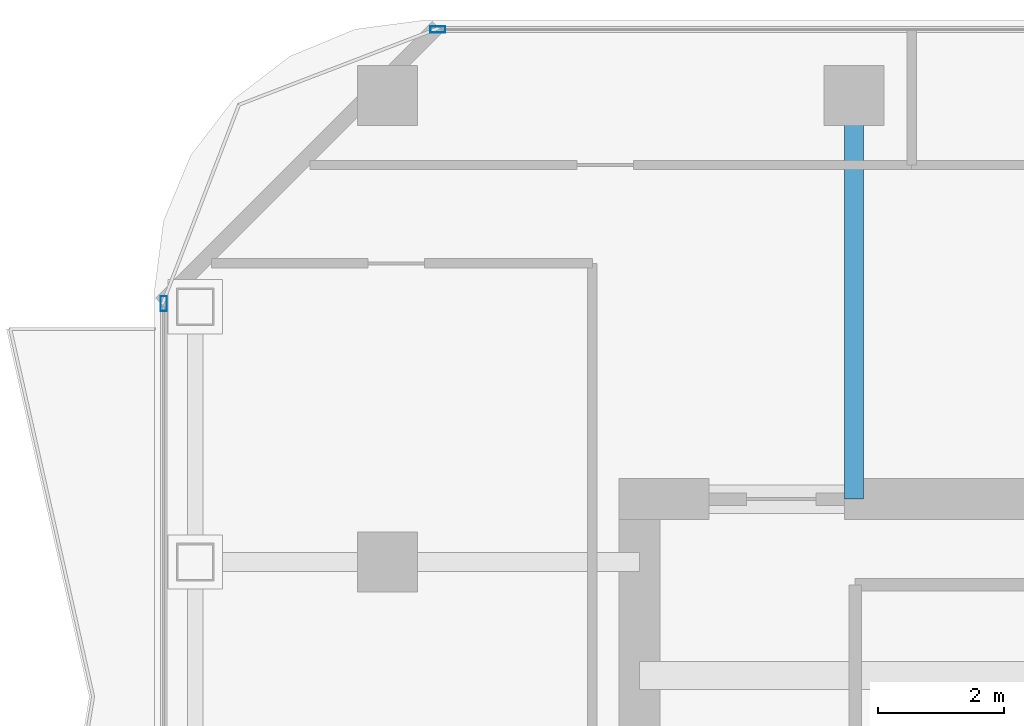
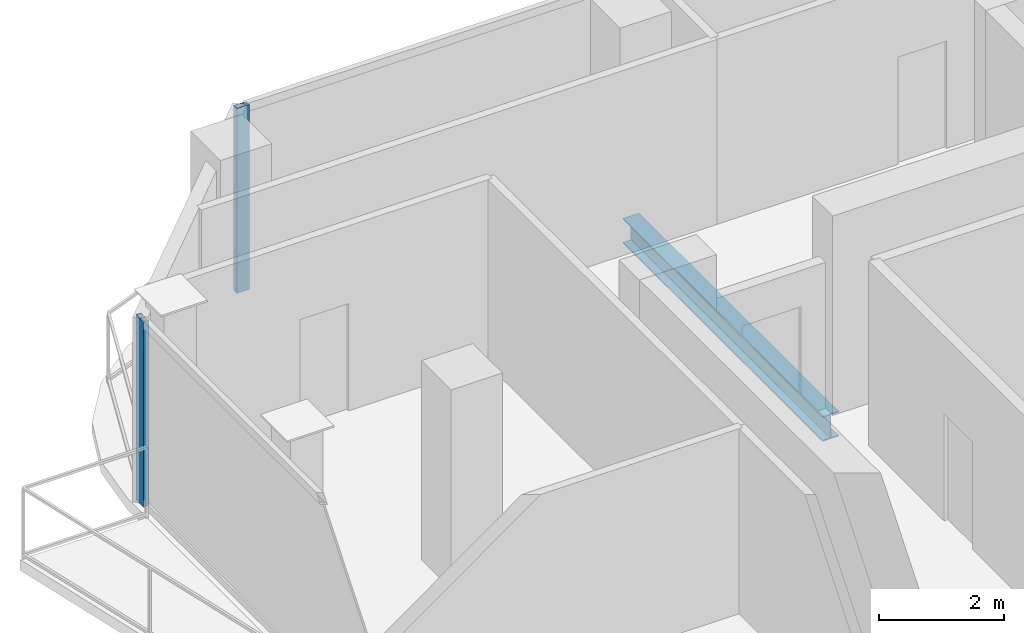
# One storey, part 14 of 26: 2 members, 1 beam, 2 elements without a shape of their own.
"""IFC4 building model written with IfcOpenShell, lengths in metres."""

import ifcopenshell
import ifcopenshell.guid

model = None  # the IFC model being written
_history = None  # IfcOwnerHistory: only IFC2X3 demands one
_inside = {}  # id of a spatial element -> (the spatial element, [elements in it])
_under = {}  # id of a project, library or spatial element -> (it, [spatial elements below it])
_declared = {}  # id of a project -> (the project, [libraries it declares])
_typed = {}  # id of a type object -> (the type object, [elements of that type])
_made_of = {}  # id of a material, layer set ... -> (it, [elements and type objects made of it])


def new_model(schema):
    """Start an empty IFC model of exactly this schema.

    Asked for "IFC4X3", IfcOpenShell would pick the latest addendum, in which some entities
    have other attributes; the version numbers below select the first issue.
    IFC2X3 requires an IfcOwnerHistory on every rooted entity: one is made here for all.
    """
    global model, _history
    if schema == "IFC4X3":
        model = ifcopenshell.file(schema_version=(4, 3, 0, 0))
    else:
        model = ifcopenshell.file(schema=schema)
    _inside.clear()
    _under.clear()
    _declared.clear()
    _typed.clear()
    _made_of.clear()
    _history = None
    if model.schema == "IFC2X3":
        org = make("IfcOrganization", Name="unknown")
        user = make(
            "IfcPersonAndOrganization",
            ThePerson=make("IfcPerson", FamilyName="unknown"),
            TheOrganization=org,
        )
        app = make(
            "IfcApplication",
            ApplicationDeveloper=org,
            Version="unknown",
            ApplicationFullName="unknown",
            ApplicationIdentifier="unknown",
        )
        _history = make(
            "IfcOwnerHistory",
            OwningUser=user,
            OwningApplication=app,
            ChangeAction="ADDED",
            CreationDate=0,
        )
    return model


def make(cls, **values):
    """One entity of the class cls with the attributes given. An attribute that is None is left unset."""
    return model.create_entity(
        cls, **{name: value for name, value in values.items() if value is not None}
    )


def rooted(cls, **values):
    """An entity with a GlobalId (a new one), such as an element, a storey or a relation."""
    return make(cls, GlobalId=ifcopenshell.guid.new(), OwnerHistory=_history, **values)


def si_unit(unit_type, name, prefix=None):
    """IfcSIUnit, for example si_unit("LENGTHUNIT", "METRE", prefix="MILLI")."""
    return make("IfcSIUnit", UnitType=unit_type, Prefix=prefix, Name=name)


def assignment(units):
    """IfcUnitAssignment: the units of a project."""
    return None if units is None else make("IfcUnitAssignment", Units=units)


def point(xyz):
    """IfcCartesianPoint."""
    return None if xyz is None else make("IfcCartesianPoint", Coordinates=xyz)


def direction(xyz):
    """IfcDirection."""
    return None if xyz is None else make("IfcDirection", DirectionRatios=xyz)


def frame(location, z_axis=None, x_axis=None):
    """IfcAxis2Placement3D, a coordinate frame: its origin and axes. An axis left out is left unset."""
    return make(
        "IfcAxis2Placement3D",
        Location=point(location),
        Axis=direction(z_axis),
        RefDirection=direction(x_axis),
    )


def frame_2d(location, x_axis=None):
    """IfcAxis2Placement2D, a coordinate frame in the plane: its origin and x axis."""
    return make(
        "IfcAxis2Placement2D", Location=point(location), RefDirection=direction(x_axis)
    )


def origin():
    """The frame at (0, 0, 0) with its axes left unset."""
    return frame((0.0, 0.0, 0.0))


def origin_2d():
    """The frame at (0, 0) in the plane with its x axis left unset."""
    return frame_2d((0.0, 0.0))


def place(relative_to, where):
    """IfcLocalPlacement: puts the frame where relative to a parent placement (None: the world)."""
    return make(
        "IfcLocalPlacement", PlacementRelTo=relative_to, RelativePlacement=where
    )


def context(
    kind, dimensions, precision=None, world=None, true_north=None, identifier=None
):
    """IfcGeometricRepresentationContext, for example the 3D "Model" context."""
    return make(
        "IfcGeometricRepresentationContext",
        ContextIdentifier=identifier,
        ContextType=kind,
        CoordinateSpaceDimension=dimensions,
        Precision=precision,
        WorldCoordinateSystem=world,
        TrueNorth=true_north,
    )


def subcontext(parent, identifier, kind, view, scale=None):
    """IfcGeometricRepresentationSubContext, for example "Body" below "Model"."""
    return make(
        "IfcGeometricRepresentationSubContext",
        ContextIdentifier=identifier,
        ContextType=kind,
        ParentContext=parent,
        TargetScale=scale,
        TargetView=view,
    )


def project(units=None, contexts=None):
    """IfcProject with its units and contexts."""
    return rooted(
        "IfcProject",
        Name="project",
        RepresentationContexts=contexts,
        UnitsInContext=assignment(units),
    )


def spatial(cls, under=None, at=None, **own):
    """A site, building, storey or space (cls), placed at a placement, below another one or the project."""
    s = rooted(cls, ObjectPlacement=at, **own)
    if under is not None:
        _under.setdefault(under.id(), (under, []))[1].append(s)
    return s


def profile(cls, at=None, kind="AREA", **sizes):
    """A parametric profile (cls). Its sizes go by their IFC names, for example OverallWidth=200.0."""
    return make(cls, ProfileType=kind, Position=at, **sizes)


def hollow_rectangle(**sizes):
    """IfcRectangleHollowProfileDef."""
    return profile("IfcRectangleHollowProfileDef", **sizes)


def i_section(**sizes):
    """IfcIShapeProfileDef."""
    return profile("IfcIShapeProfileDef", **sizes)


def extrude(swept, where, along, depth):
    """IfcExtrudedAreaSolid: the profile swept, set in the frame where, extruded along a direction by depth."""
    return make(
        "IfcExtrudedAreaSolid",
        SweptArea=swept,
        Position=where,
        ExtrudedDirection=direction(along),
        Depth=depth,
    )


def shape(context_of_items, identifier, shape_type, items):
    """IfcShapeRepresentation: the items that make up one representation, for example the "Body"."""
    return make(
        "IfcShapeRepresentation",
        ContextOfItems=context_of_items,
        RepresentationIdentifier=identifier,
        RepresentationType=shape_type,
        Items=items,
    )


def material(Name=None, Category=None):
    """IfcMaterial."""
    return make("IfcMaterial", Name=Name, Category=Category)


def layer(
    of_material, thickness, ventilated=None, Name=None, Category=None, Priority=None
):
    """IfcMaterialLayer: one layer of a wall or slab, of a material (None: an air gap)."""
    return make(
        "IfcMaterialLayer",
        Material=of_material,
        LayerThickness=thickness,
        IsVentilated=ventilated,
        Name=Name,
        Category=Category,
        Priority=Priority,
    )


def layer_set(layers, Name=None):
    """IfcMaterialLayerSet."""
    return make("IfcMaterialLayerSet", MaterialLayers=layers, LayerSetName=Name)


def material_profile(
    of_material, cross_section, Name=None, Category=None, Priority=None
):
    """IfcMaterialProfile: a cross section and its material."""
    return make(
        "IfcMaterialProfile",
        Name=Name,
        Material=of_material,
        Profile=cross_section,
        Priority=Priority,
        Category=Category,
    )


def profile_set(profiles, Name=None, composite=None):
    """IfcMaterialProfileSet."""
    return make(
        "IfcMaterialProfileSet",
        Name=Name,
        MaterialProfiles=profiles,
        CompositeProfile=composite,
    )


def made_of(thing, what):
    """Note that an element or type object is made of a material, layer set ...; save() writes the relation."""
    if what is not None:
        _made_of.setdefault(what.id(), (what, []))[1].append(thing)
    return thing


def type_object(cls, material=None, **own):
    """A type object (cls), such as IfcWallType, which elements share."""
    return made_of(rooted(cls, **own), material)


def element(
    cls,
    number,
    at=None,
    inside=None,
    cuts=None,
    type_object=None,
    material=None,
    context=None,
    identifier="Body",
    shape_type=None,
    held_by="IfcProductDefinitionShape",
    body=None,
    shapes=None,
    **own,
):
    """One element of the class cls, such as IfcWall. Its Tag is "e" and its number.

    at: its placement. inside: the storey or other place that contains it. cuts: it is an
    opening in that element (IfcRelVoidsElement). A single representation is given by context,
    identifier, shape_type and body (its items); several are given by shapes. held_by: the class
    of the entity that holds the representations. save() writes the other relations.
    """
    e = rooted(cls, Tag="e%d" % number, ObjectPlacement=at, **own)
    if body is not None:
        shapes = [shape(context, identifier, shape_type, body)]
    if shapes is not None:
        e.Representation = make(held_by, Representations=shapes)
    if inside is not None:
        _inside.setdefault(inside.id(), (inside, []))[1].append(e)
    if cuts is not None:
        rooted(
            "IfcRelVoidsElement", RelatingBuildingElement=cuts, RelatedOpeningElement=e
        )
    if type_object is not None:
        _typed.setdefault(type_object.id(), (type_object, []))[1].append(e)
    return made_of(e, material)


def aggregate(whole, parts):
    """IfcRelAggregates: a whole, such as a stair, and the parts it consists of."""
    return rooted("IfcRelAggregates", RelatingObject=whole, RelatedObjects=parts)


def save(model, path):
    """Write the relations noted so far, then the file.

    IfcRelAggregates (storeys below a building ...), IfcRelContainedInSpatialStructure (elements
    in a storey), IfcRelDefinesByType, IfcRelAssociatesMaterial and IfcRelDeclares: one each for
    every whole, place, type object, material and project.
    """
    for whole, parts in _under.values():
        aggregate(whole, parts)
    for where, things in _inside.values():
        rooted(
            "IfcRelContainedInSpatialStructure",
            RelatedElements=things,
            RelatingStructure=where,
        )
    for kind, things in _typed.values():
        rooted("IfcRelDefinesByType", RelatedObjects=things, RelatingType=kind)
    for what, things in _made_of.values():
        rooted("IfcRelAssociatesMaterial", RelatedObjects=things, RelatingMaterial=what)
    for by, libraries in _declared.values():
        rooted("IfcRelDeclares", RelatingContext=by, RelatedDefinitions=libraries)
    model.write(path)


model = new_model("IFC4")

# Units and contexts
model_context = context("Model", 3, precision=1e-05, world=origin(), true_north=direction((0.0, 1.0)))
body_context = subcontext(model_context, "Body", "Model", "MODEL_VIEW")
ifc_project = project(units=[si_unit("LENGTHUNIT", "METRE"), si_unit("AREAUNIT", "SQUARE_METRE"), si_unit("VOLUMEUNIT", "CUBIC_METRE"), si_unit("PLANEANGLEUNIT", "RADIAN"), si_unit("MASSUNIT", "GRAM", prefix="KILO")], contexts=[model_context])

# Site, building, storey
site_placement = place(None, origin())
site = spatial("IfcSite", under=ifc_project, at=site_placement, CompositionType="ELEMENT")
building_placement = place(site_placement, origin())
building = spatial("IfcBuilding", under=site, at=building_placement, Name="Khorvyn Point Tower", CompositionType="ELEMENT")
storey_placement = place(building_placement, frame((0.0, 0.0, 250.800048828125)))
storey = spatial("IfcBuildingStorey", under=building, at=storey_placement, Name="L61", CompositionType="ELEMENT", Elevation=250.800048828125)

# Curtain wall, member
ifc_material_1 = material(Name="Anodised aluminium 6063-T6 and laminated Low-E glass", Category="aluminium")
ifc_layer = layer(ifc_material_1, 0.18994140625)
ifc_layer_set = layer_set([ifc_layer], Name="Stick-Built Acoustic Curtain Wall CW-SYS-03")
curtain_wall_type = type_object("IfcCurtainWallType", Name="Stick-Built Acoustic Curtain Wall CW-SYS-03", PredefinedType="NOTDEFINED", material=ifc_layer_set)
curtain_wall_1_placement = place(storey_placement, origin())
curtain_wall_1 = element("IfcCurtainWall", 1, at=curtain_wall_1_placement, inside=storey, type_object=curtain_wall_type, Name="Curtain Wall", PredefinedType="NOTDEFINED")
ifc_material_2 = material(Name="Anodised aluminium 6063-T6", Category="aluminium")
ifc_material_profile_1 = material_profile(ifc_material_2, hollow_rectangle(XDim=0.10009765625, YDim=0.239990234375, WallThickness=0.0048828125, at=origin_2d()))
ifc_profile_set_1 = profile_set([ifc_material_profile_1], Name="Anodised aluminium 6063-T6 ALU-MUL-100x240")
member_type = type_object("IfcMemberType", Name="Anodised Aluminium 6063-T6 Mullion ALU-MUL-100x240", PredefinedType="MULLION", material=ifc_profile_set_1)
member_1_placement = place(storey_placement, frame((-14.0, 15.85009765625, 0.0), z_axis=(0.0, 0.0, 1.0), x_axis=(0.0, 1.0, 0.0)))
member_1 = element("IfcMember", 2, at=member_1_placement, type_object=member_type, Name="Transom", PredefinedType="MULLION", context=body_context, shape_type="SweptSolid", body=[
    extrude(hollow_rectangle(XDim=0.10009765625, YDim=0.239990234375, WallThickness=0.0048828125, at=origin_2d()), origin(), (0.0, 0.0, 1.0), 3.619873046875),
])
aggregate(curtain_wall_1, [member_1])

curtain_wall_2_placement = place(storey_placement, origin())
curtain_wall_2 = element("IfcCurtainWall", 3, at=curtain_wall_2_placement, inside=storey, type_object=curtain_wall_type, Name="Curtain Wall", PredefinedType="NOTDEFINED")
member_2_placement = place(storey_placement, frame((-18.35009765625, 11.5, 0.0), z_axis=(0.0, 0.0, 1.0), x_axis=(-1.0, 0.0, 0.0)))
member_2 = element("IfcMember", 4, at=member_2_placement, type_object=member_type, Name="Transom", PredefinedType="MULLION", context=body_context, shape_type="SweptSolid", body=[
    extrude(hollow_rectangle(XDim=0.10009765625, YDim=0.239990234375, WallThickness=0.0048828125, at=origin_2d()), origin(), (0.0, 0.0, 1.0), 3.619873046875),
])
aggregate(curtain_wall_2, [member_2])

# Beam
ifc_material_3 = material(Name="Steel S355", Category="steel")
ifc_material_profile_2 = material_profile(ifc_material_3, i_section(OverallWidth=0.300048828125, OverallDepth=0.488037109375, WebThickness=0.010986328125, FlangeThickness=0.01806640625, at=origin_2d()))
ifc_profile_set_2 = profile_set([ifc_material_profile_2], Name="Steel S355 H488x300x11x18")
beam_type = type_object("IfcBeamType", Name="Steel S355 Spandrel H488x300x11x18", PredefinedType="SPANDREL", material=ifc_profile_set_2)
beam_placement = place(storey_placement, frame((-7.39990234375, 8.39990234375, -0.464111328125), z_axis=(0.0, 1.0, 0.0), x_axis=(-1.0, 0.0, 0.0)))
element("IfcBeam", 5, at=beam_placement, inside=storey, type_object=beam_type, Name="Beam", PredefinedType="SPANDREL", context=body_context, shape_type="SweptSolid", body=[
    extrude(i_section(OverallWidth=0.300048828125, OverallDepth=0.488037109375, WebThickness=0.010986328125, FlangeThickness=0.01806640625, at=origin_2d()), origin(), (0.0, 0.0, 1.0), 6.400146484375),
])

save(model, "model.ifc")
